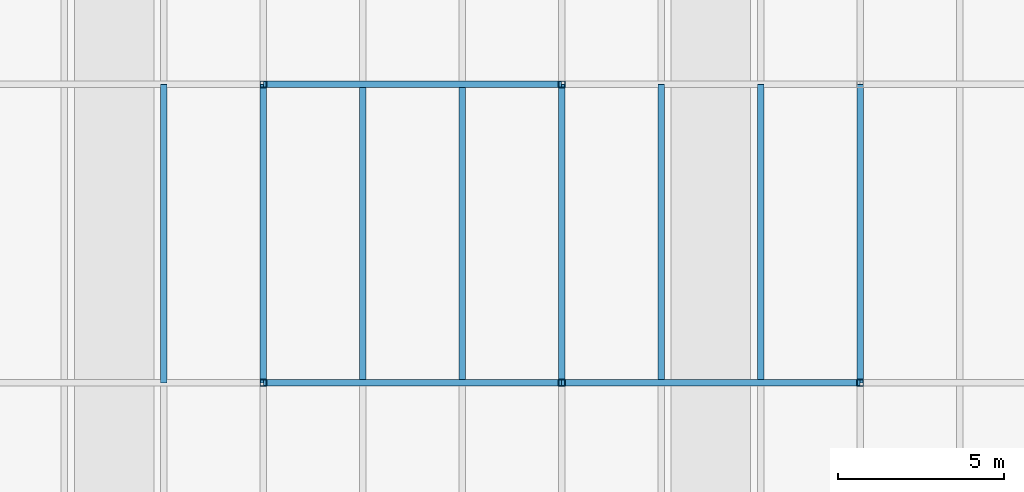
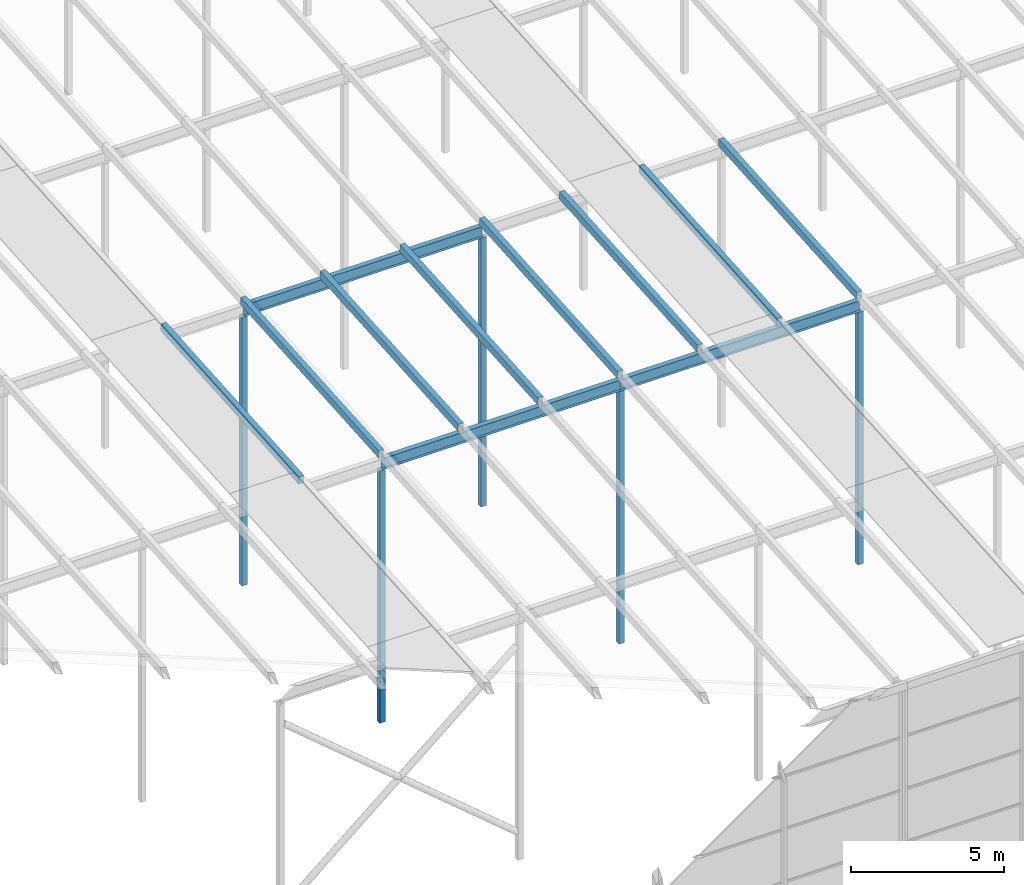
# One storey, part 18 of 84: 13 members, 3 beams.
"""IFC4 building model written with IfcOpenShell, lengths in metres."""

import ifcopenshell
import ifcopenshell.guid

model = None  # the IFC model being written
_history = None  # IfcOwnerHistory: only IFC2X3 demands one
_inside = {}  # id of a spatial element -> (the spatial element, [elements in it])
_under = {}  # id of a project, library or spatial element -> (it, [spatial elements below it])
_declared = {}  # id of a project -> (the project, [libraries it declares])
_typed = {}  # id of a type object -> (the type object, [elements of that type])
_made_of = {}  # id of a material, layer set ... -> (it, [elements and type objects made of it])


def new_model(schema):
    """Start an empty IFC model of exactly this schema.

    Asked for "IFC4X3", IfcOpenShell would pick the latest addendum, in which some entities
    have other attributes; the version numbers below select the first issue.
    IFC2X3 requires an IfcOwnerHistory on every rooted entity: one is made here for all.
    """
    global model, _history
    if schema == "IFC4X3":
        model = ifcopenshell.file(schema_version=(4, 3, 0, 0))
    else:
        model = ifcopenshell.file(schema=schema)
    _inside.clear()
    _under.clear()
    _declared.clear()
    _typed.clear()
    _made_of.clear()
    _history = None
    if model.schema == "IFC2X3":
        org = make("IfcOrganization", Name="unknown")
        user = make(
            "IfcPersonAndOrganization",
            ThePerson=make("IfcPerson", FamilyName="unknown"),
            TheOrganization=org,
        )
        app = make(
            "IfcApplication",
            ApplicationDeveloper=org,
            Version="unknown",
            ApplicationFullName="unknown",
            ApplicationIdentifier="unknown",
        )
        _history = make(
            "IfcOwnerHistory",
            OwningUser=user,
            OwningApplication=app,
            ChangeAction="ADDED",
            CreationDate=0,
        )
    return model


def make(cls, **values):
    """One entity of the class cls with the attributes given. An attribute that is None is left unset."""
    return model.create_entity(
        cls, **{name: value for name, value in values.items() if value is not None}
    )


def rooted(cls, **values):
    """An entity with a GlobalId (a new one), such as an element, a storey or a relation."""
    return make(cls, GlobalId=ifcopenshell.guid.new(), OwnerHistory=_history, **values)


def si_unit(unit_type, name, prefix=None):
    """IfcSIUnit, for example si_unit("LENGTHUNIT", "METRE", prefix="MILLI")."""
    return make("IfcSIUnit", UnitType=unit_type, Prefix=prefix, Name=name)


def assignment(units):
    """IfcUnitAssignment: the units of a project."""
    return None if units is None else make("IfcUnitAssignment", Units=units)


def point(xyz):
    """IfcCartesianPoint."""
    return None if xyz is None else make("IfcCartesianPoint", Coordinates=xyz)


def direction(xyz):
    """IfcDirection."""
    return None if xyz is None else make("IfcDirection", DirectionRatios=xyz)


def frame(location, z_axis=None, x_axis=None):
    """IfcAxis2Placement3D, a coordinate frame: its origin and axes. An axis left out is left unset."""
    return make(
        "IfcAxis2Placement3D",
        Location=point(location),
        Axis=direction(z_axis),
        RefDirection=direction(x_axis),
    )


def frame_2d(location, x_axis=None):
    """IfcAxis2Placement2D, a coordinate frame in the plane: its origin and x axis."""
    return make(
        "IfcAxis2Placement2D", Location=point(location), RefDirection=direction(x_axis)
    )


def origin():
    """The frame at (0, 0, 0) with its axes left unset."""
    return frame((0.0, 0.0, 0.0))


def origin_2d():
    """The frame at (0, 0) in the plane with its x axis left unset."""
    return frame_2d((0.0, 0.0))


def place(relative_to, where):
    """IfcLocalPlacement: puts the frame where relative to a parent placement (None: the world)."""
    return make(
        "IfcLocalPlacement", PlacementRelTo=relative_to, RelativePlacement=where
    )


def context(
    kind, dimensions, precision=None, world=None, true_north=None, identifier=None
):
    """IfcGeometricRepresentationContext, for example the 3D "Model" context."""
    return make(
        "IfcGeometricRepresentationContext",
        ContextIdentifier=identifier,
        ContextType=kind,
        CoordinateSpaceDimension=dimensions,
        Precision=precision,
        WorldCoordinateSystem=world,
        TrueNorth=true_north,
    )


def subcontext(parent, identifier, kind, view, scale=None):
    """IfcGeometricRepresentationSubContext, for example "Body" below "Model"."""
    return make(
        "IfcGeometricRepresentationSubContext",
        ContextIdentifier=identifier,
        ContextType=kind,
        ParentContext=parent,
        TargetScale=scale,
        TargetView=view,
    )


def project(units=None, contexts=None):
    """IfcProject with its units and contexts."""
    return rooted(
        "IfcProject",
        Name="project",
        RepresentationContexts=contexts,
        UnitsInContext=assignment(units),
    )


def spatial(cls, under=None, at=None, **own):
    """A site, building, storey or space (cls), placed at a placement, below another one or the project."""
    s = rooted(cls, ObjectPlacement=at, **own)
    if under is not None:
        _under.setdefault(under.id(), (under, []))[1].append(s)
    return s


def profile(cls, at=None, kind="AREA", **sizes):
    """A parametric profile (cls). Its sizes go by their IFC names, for example OverallWidth=200.0."""
    return make(cls, ProfileType=kind, Position=at, **sizes)


def hollow_rectangle(**sizes):
    """IfcRectangleHollowProfileDef."""
    return profile("IfcRectangleHollowProfileDef", **sizes)


def i_section(**sizes):
    """IfcIShapeProfileDef."""
    return profile("IfcIShapeProfileDef", **sizes)


def extrude(swept, where, along, depth):
    """IfcExtrudedAreaSolid: the profile swept, set in the frame where, extruded along a direction by depth."""
    return make(
        "IfcExtrudedAreaSolid",
        SweptArea=swept,
        Position=where,
        ExtrudedDirection=direction(along),
        Depth=depth,
    )


def shape(context_of_items, identifier, shape_type, items):
    """IfcShapeRepresentation: the items that make up one representation, for example the "Body"."""
    return make(
        "IfcShapeRepresentation",
        ContextOfItems=context_of_items,
        RepresentationIdentifier=identifier,
        RepresentationType=shape_type,
        Items=items,
    )


def material(Name=None, Category=None):
    """IfcMaterial."""
    return make("IfcMaterial", Name=Name, Category=Category)


def material_profile(
    of_material, cross_section, Name=None, Category=None, Priority=None
):
    """IfcMaterialProfile: a cross section and its material."""
    return make(
        "IfcMaterialProfile",
        Name=Name,
        Material=of_material,
        Profile=cross_section,
        Priority=Priority,
        Category=Category,
    )


def profile_set(profiles, Name=None, composite=None):
    """IfcMaterialProfileSet."""
    return make(
        "IfcMaterialProfileSet",
        Name=Name,
        MaterialProfiles=profiles,
        CompositeProfile=composite,
    )


def made_of(thing, what):
    """Note that an element or type object is made of a material, layer set ...; save() writes the relation."""
    if what is not None:
        _made_of.setdefault(what.id(), (what, []))[1].append(thing)
    return thing


def type_object(cls, material=None, **own):
    """A type object (cls), such as IfcWallType, which elements share."""
    return made_of(rooted(cls, **own), material)


def element(
    cls,
    number,
    at=None,
    inside=None,
    cuts=None,
    type_object=None,
    material=None,
    context=None,
    identifier="Body",
    shape_type=None,
    held_by="IfcProductDefinitionShape",
    body=None,
    shapes=None,
    **own,
):
    """One element of the class cls, such as IfcWall. Its Tag is "e" and its number.

    at: its placement. inside: the storey or other place that contains it. cuts: it is an
    opening in that element (IfcRelVoidsElement). A single representation is given by context,
    identifier, shape_type and body (its items); several are given by shapes. held_by: the class
    of the entity that holds the representations. save() writes the other relations.
    """
    e = rooted(cls, Tag="e%d" % number, ObjectPlacement=at, **own)
    if body is not None:
        shapes = [shape(context, identifier, shape_type, body)]
    if shapes is not None:
        e.Representation = make(held_by, Representations=shapes)
    if inside is not None:
        _inside.setdefault(inside.id(), (inside, []))[1].append(e)
    if cuts is not None:
        rooted(
            "IfcRelVoidsElement", RelatingBuildingElement=cuts, RelatedOpeningElement=e
        )
    if type_object is not None:
        _typed.setdefault(type_object.id(), (type_object, []))[1].append(e)
    return made_of(e, material)


def aggregate(whole, parts):
    """IfcRelAggregates: a whole, such as a stair, and the parts it consists of."""
    return rooted("IfcRelAggregates", RelatingObject=whole, RelatedObjects=parts)


def save(model, path):
    """Write the relations noted so far, then the file.

    IfcRelAggregates (storeys below a building ...), IfcRelContainedInSpatialStructure (elements
    in a storey), IfcRelDefinesByType, IfcRelAssociatesMaterial and IfcRelDeclares: one each for
    every whole, place, type object, material and project.
    """
    for whole, parts in _under.values():
        aggregate(whole, parts)
    for where, things in _inside.values():
        rooted(
            "IfcRelContainedInSpatialStructure",
            RelatedElements=things,
            RelatingStructure=where,
        )
    for kind, things in _typed.values():
        rooted("IfcRelDefinesByType", RelatedObjects=things, RelatingType=kind)
    for what, things in _made_of.values():
        rooted("IfcRelAssociatesMaterial", RelatedObjects=things, RelatingMaterial=what)
    for by, libraries in _declared.values():
        rooted("IfcRelDeclares", RelatingContext=by, RelatedDefinitions=libraries)
    model.write(path)


model = new_model("IFC4")

# Units and contexts
model_context = context("Model", 3, precision=1e-05, world=origin(), true_north=direction((0.0, 1.0)))
body_context = subcontext(model_context, "Body", "Model", "MODEL_VIEW")
ifc_project = project(units=[si_unit("LENGTHUNIT", "METRE"), si_unit("AREAUNIT", "SQUARE_METRE"), si_unit("VOLUMEUNIT", "CUBIC_METRE"), si_unit("PLANEANGLEUNIT", "RADIAN"), si_unit("MASSUNIT", "GRAM", prefix="KILO")], contexts=[model_context])

# Site, building, storey
site_placement = place(None, origin())
site = spatial("IfcSite", under=ifc_project, at=site_placement, CompositionType="ELEMENT")
building_placement = place(site_placement, origin())
building = spatial("IfcBuilding", under=site, at=building_placement, Name="Silverbay Arena", CompositionType="ELEMENT")
storey_placement = place(building_placement, frame((0.0, 0.0, 47.10009765625)))
storey = spatial("IfcBuildingStorey", under=building, at=storey_placement, Name="ROOF", CompositionType="ELEMENT", Elevation=47.10009765625)

# Members
ifc_material_1 = material(Name="Steel S355", Category="steel")
ifc_material_profile_1 = material_profile(ifc_material_1, hollow_rectangle(XDim=0.199951171875, YDim=0.300048828125, WallThickness=0.00634765625, at=origin_2d()), Name="RHS 300x200x6.3")
ifc_profile_set_1 = profile_set([ifc_material_profile_1], Name="Steel S355")
member_type_1 = type_object("IfcMemberType", Name="Purlin RHS 300x200x6.3", PredefinedType="PURLIN", material=ifc_profile_set_1)
for number, where, z_axis, x_axis, name in (
    (1, (132.0, 45.0, 10.049560546875), (0.0, 0.997402911363, 0.072023832195), (-1.0, 0.0, 0.0), "ROOF PURLIN crown line 18 bay 03"),
    (2, (135.0, 45.0, 10.049560546875), (0.0, 0.997402911363, 0.072023832195), (-1.0, 0.0, 0.0), "ROOF PURLIN crown line 19 bay 03"),
    (3, (138.0, 45.0, 10.049560546875), (0.0, 0.997402911363, 0.072023832195), (-1.0, 0.0, 0.0), "ROOF PURLIN crown line 20 bay 03"),
    (4, (141.0, 45.0, 10.049560546875), (0.0, 0.997402911363, 0.072023832195), (-1.0, 0.0, 0.0), "ROOF PURLIN crown line 21 bay 03"),
    (5, (144.0, 45.0, 10.049560546875), (0.0, 0.997402911363, 0.072023832195), (-1.0, 0.0, 0.0), "ROOF PURLIN crown line 22 bay 03"),
    (6, (147.0, 45.0, 10.049560546875), (0.0, 0.997402911363, 0.072023832195), (-1.0, 0.0, 0.0), "ROOF PURLIN crown line 23 bay 03"),
    (7, (150.0, 45.0, 10.049560546875), (0.0, 0.997402911363, 0.072023832195), (-1.0, 0.0, 0.0), "ROOF PURLIN crown line 24 bay 03"),
    (8, (153.0, 45.0, 10.049560546875), (0.0, 0.997402911363, 0.072023832195), (-1.0, 0.0, 0.0), "ROOF PURLIN crown line 25 bay 03"),
):
    element("IfcMember", number, at=place(storey_placement, frame(where, z_axis=z_axis, x_axis=x_axis)), inside=storey, type_object=member_type_1, Name=name, PredefinedType="PURLIN", context=body_context, shape_type="SweptSolid", body=[
        extrude(hollow_rectangle(XDim=0.199951171875, YDim=0.300048828125, WallThickness=0.00634765625, at=origin_2d()), origin(), (0.0, 0.0, 1.0), 9.0234375),
    ])

# Beams
ifc_material_2 = material(Name="Steel S355", Category="steel")
ifc_material_profile_2 = material_profile(ifc_material_2, i_section(OverallWidth=0.18994140625, OverallDepth=0.453369140625, WebThickness=0.008544921875, FlangeThickness=0.0126953125, at=origin_2d()), Name="UB 457x191x67")
ifc_profile_set_2 = profile_set([ifc_material_profile_2], Name="Steel S355")
beam_type = type_object("IfcBeamType", Name="Ring beam UB 457x191x67", PredefinedType="BEAM", material=ifc_profile_set_2)
for number, where, z_axis, x_axis, name in (
    (9, (135.0, 45.0, 9.67236328125), (1.0, 0.0, 0.0), (0.0, 1.0, 0.0), "RING BEAM crown row 03 16-17"),
    (10, (144.0, 45.0, 9.67236328125), (1.0, 0.0, 0.0), (0.0, 1.0, 0.0), "RING BEAM crown row 03 17-18"),
    (11, (135.0, 54.0, 10.322509765625), (1.0, 0.0, 0.0), (0.0, 1.0, 0.0), "RING BEAM crown row 04 16-17"),
):
    element("IfcBeam", number, at=place(storey_placement, frame(where, z_axis=z_axis, x_axis=x_axis)), inside=storey, type_object=beam_type, Name=name, PredefinedType="BEAM", context=body_context, shape_type="SweptSolid", body=[
        extrude(i_section(OverallWidth=0.18994140625, OverallDepth=0.453369140625, WebThickness=0.008544921875, FlangeThickness=0.0126953125, at=origin_2d()), origin(), (0.0, 0.0, 1.0), 9.0),
    ])

# Members
ifc_material_3 = material(Name="Steel S355", Category="steel")
ifc_material_profile_3 = material_profile(ifc_material_3, hollow_rectangle(XDim=0.199951171875, YDim=0.199951171875, WallThickness=0.008056640625, at=origin_2d()), Name="SHS 200x200x8")
ifc_profile_set_3 = profile_set([ifc_material_profile_3], Name="Steel S355")
member_type_2 = type_object("IfcMemberType", Name="Roof post SHS 200x200x8", PredefinedType="POST", material=ifc_profile_set_3)
member_1_placement = place(storey_placement, frame((135.0, 45.0, -0.60009765625), z_axis=(0.0, 0.0, 1.0), x_axis=(1.0, 0.0, 0.0)))
element("IfcMember", 12, at=member_1_placement, inside=storey, type_object=member_type_2, Name="ROOF CROWN POST 16 row 03", PredefinedType="POST", context=body_context, shape_type="SweptSolid", body=[
    extrude(hollow_rectangle(XDim=0.199951171875, YDim=0.199951171875, WallThickness=0.008056640625, at=origin_2d()), origin(), (0.0, 0.0, 1.0), 10.0458984375),
])
member_2_placement = place(storey_placement, frame((135.0, 54.0, -0.60009765625), z_axis=(0.0, 0.0, 1.0), x_axis=(1.0, 0.0, 0.0)))
element("IfcMember", 13, at=member_2_placement, inside=storey, type_object=member_type_2, Name="ROOF CROWN POST 16 row 04", PredefinedType="POST", context=body_context, shape_type="SweptSolid", body=[
    extrude(hollow_rectangle(XDim=0.199951171875, YDim=0.199951171875, WallThickness=0.008056640625, at=origin_2d()), origin(), (0.0, 0.0, 1.0), 10.69580078125),
])
member_3_placement = place(storey_placement, frame((144.0, 45.0, -0.60009765625), z_axis=(0.0, 0.0, 1.0), x_axis=(1.0, 0.0, 0.0)))
element("IfcMember", 14, at=member_3_placement, inside=storey, type_object=member_type_2, Name="ROOF CROWN POST 17 row 03", PredefinedType="POST", context=body_context, shape_type="SweptSolid", body=[
    extrude(hollow_rectangle(XDim=0.199951171875, YDim=0.199951171875, WallThickness=0.008056640625, at=origin_2d()), origin(), (0.0, 0.0, 1.0), 10.0458984375),
])
member_4_placement = place(storey_placement, frame((144.0, 54.0, -0.60009765625), z_axis=(0.0, 0.0, 1.0), x_axis=(1.0, 0.0, 0.0)))
element("IfcMember", 15, at=member_4_placement, inside=storey, type_object=member_type_2, Name="ROOF CROWN POST 17 row 04", PredefinedType="POST", context=body_context, shape_type="SweptSolid", body=[
    extrude(hollow_rectangle(XDim=0.199951171875, YDim=0.199951171875, WallThickness=0.008056640625, at=origin_2d()), origin(), (0.0, 0.0, 1.0), 10.69580078125),
])
member_5_placement = place(storey_placement, frame((153.0, 45.0, -0.60009765625), z_axis=(0.0, 0.0, 1.0), x_axis=(1.0, 0.0, 0.0)))
element("IfcMember", 16, at=member_5_placement, inside=storey, type_object=member_type_2, Name="ROOF CROWN POST 18 row 03", PredefinedType="POST", context=body_context, shape_type="SweptSolid", body=[
    extrude(hollow_rectangle(XDim=0.199951171875, YDim=0.199951171875, WallThickness=0.008056640625, at=origin_2d()), origin(), (0.0, 0.0, 1.0), 10.0458984375),
])

save(model, "model.ifc")
